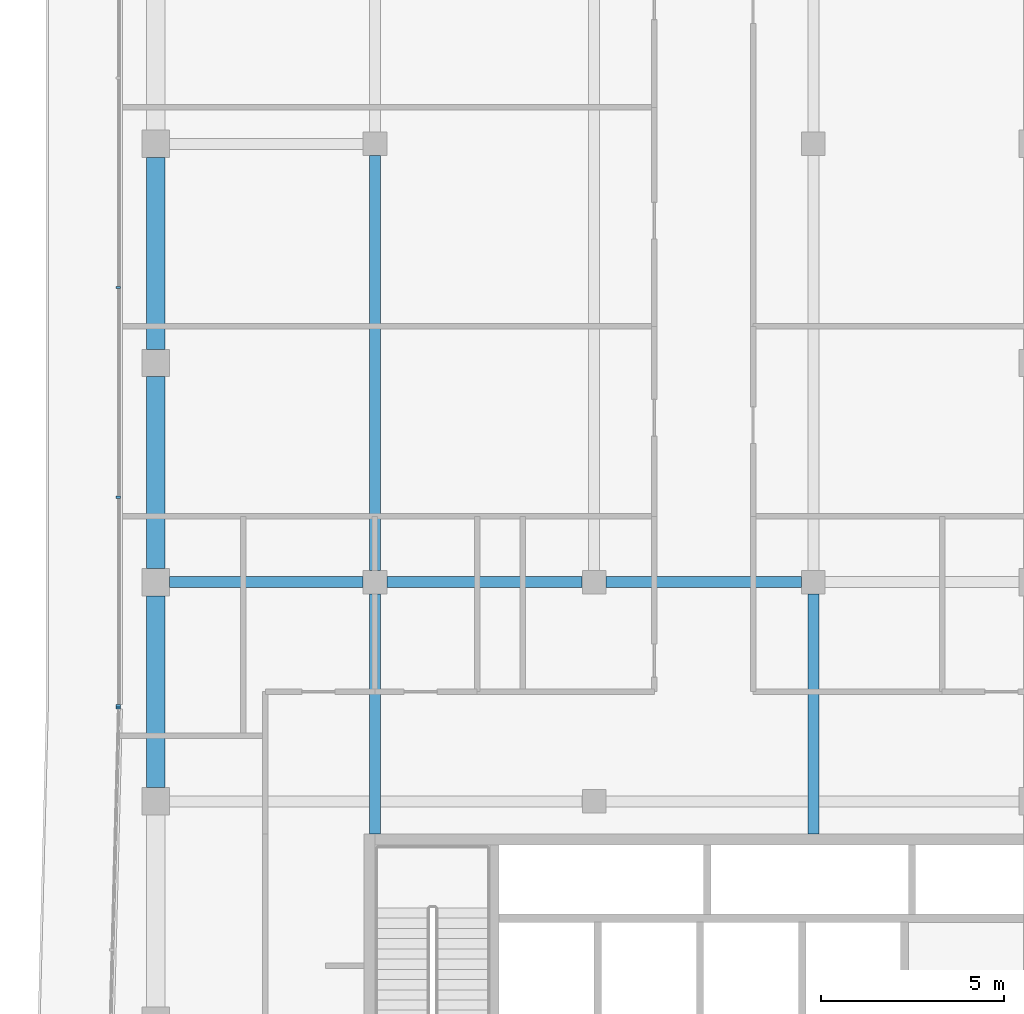
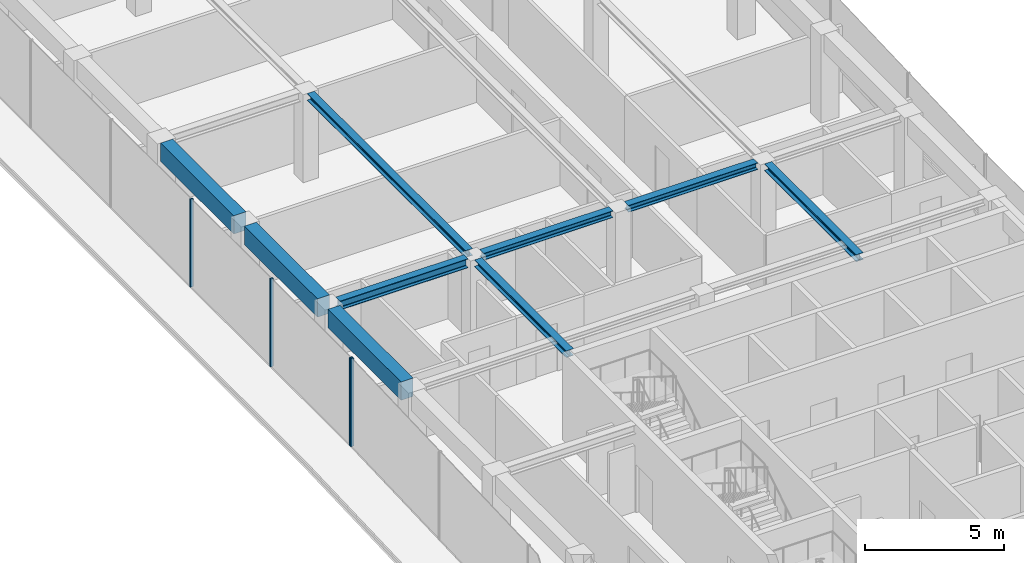
# One storey, part 6 of 18: 9 beams, 4 members, 2 elements without a shape of their own.
"""IFC4 building model written with IfcOpenShell, lengths in metres."""

import ifcopenshell
import ifcopenshell.guid

model = None  # the IFC model being written
_history = None  # IfcOwnerHistory: only IFC2X3 demands one
_inside = {}  # id of a spatial element -> (the spatial element, [elements in it])
_under = {}  # id of a project, library or spatial element -> (it, [spatial elements below it])
_declared = {}  # id of a project -> (the project, [libraries it declares])
_typed = {}  # id of a type object -> (the type object, [elements of that type])
_made_of = {}  # id of a material, layer set ... -> (it, [elements and type objects made of it])


def new_model(schema):
    """Start an empty IFC model of exactly this schema.

    Asked for "IFC4X3", IfcOpenShell would pick the latest addendum, in which some entities
    have other attributes; the version numbers below select the first issue.
    IFC2X3 requires an IfcOwnerHistory on every rooted entity: one is made here for all.
    """
    global model, _history
    if schema == "IFC4X3":
        model = ifcopenshell.file(schema_version=(4, 3, 0, 0))
    else:
        model = ifcopenshell.file(schema=schema)
    _inside.clear()
    _under.clear()
    _declared.clear()
    _typed.clear()
    _made_of.clear()
    _history = None
    if model.schema == "IFC2X3":
        org = make("IfcOrganization", Name="unknown")
        user = make(
            "IfcPersonAndOrganization",
            ThePerson=make("IfcPerson", FamilyName="unknown"),
            TheOrganization=org,
        )
        app = make(
            "IfcApplication",
            ApplicationDeveloper=org,
            Version="unknown",
            ApplicationFullName="unknown",
            ApplicationIdentifier="unknown",
        )
        _history = make(
            "IfcOwnerHistory",
            OwningUser=user,
            OwningApplication=app,
            ChangeAction="ADDED",
            CreationDate=0,
        )
    return model


def make(cls, **values):
    """One entity of the class cls with the attributes given. An attribute that is None is left unset."""
    return model.create_entity(
        cls, **{name: value for name, value in values.items() if value is not None}
    )


def rooted(cls, **values):
    """An entity with a GlobalId (a new one), such as an element, a storey or a relation."""
    return make(cls, GlobalId=ifcopenshell.guid.new(), OwnerHistory=_history, **values)


def si_unit(unit_type, name, prefix=None):
    """IfcSIUnit, for example si_unit("LENGTHUNIT", "METRE", prefix="MILLI")."""
    return make("IfcSIUnit", UnitType=unit_type, Prefix=prefix, Name=name)


def assignment(units):
    """IfcUnitAssignment: the units of a project."""
    return None if units is None else make("IfcUnitAssignment", Units=units)


def point(xyz):
    """IfcCartesianPoint."""
    return None if xyz is None else make("IfcCartesianPoint", Coordinates=xyz)


def direction(xyz):
    """IfcDirection."""
    return None if xyz is None else make("IfcDirection", DirectionRatios=xyz)


def frame(location, z_axis=None, x_axis=None):
    """IfcAxis2Placement3D, a coordinate frame: its origin and axes. An axis left out is left unset."""
    return make(
        "IfcAxis2Placement3D",
        Location=point(location),
        Axis=direction(z_axis),
        RefDirection=direction(x_axis),
    )


def frame_2d(location, x_axis=None):
    """IfcAxis2Placement2D, a coordinate frame in the plane: its origin and x axis."""
    return make(
        "IfcAxis2Placement2D", Location=point(location), RefDirection=direction(x_axis)
    )


def origin():
    """The frame at (0, 0, 0) with its axes left unset."""
    return frame((0.0, 0.0, 0.0))


def origin_2d():
    """The frame at (0, 0) in the plane with its x axis left unset."""
    return frame_2d((0.0, 0.0))


def place(relative_to, where):
    """IfcLocalPlacement: puts the frame where relative to a parent placement (None: the world)."""
    return make(
        "IfcLocalPlacement", PlacementRelTo=relative_to, RelativePlacement=where
    )


def context(
    kind, dimensions, precision=None, world=None, true_north=None, identifier=None
):
    """IfcGeometricRepresentationContext, for example the 3D "Model" context."""
    return make(
        "IfcGeometricRepresentationContext",
        ContextIdentifier=identifier,
        ContextType=kind,
        CoordinateSpaceDimension=dimensions,
        Precision=precision,
        WorldCoordinateSystem=world,
        TrueNorth=true_north,
    )


def subcontext(parent, identifier, kind, view, scale=None):
    """IfcGeometricRepresentationSubContext, for example "Body" below "Model"."""
    return make(
        "IfcGeometricRepresentationSubContext",
        ContextIdentifier=identifier,
        ContextType=kind,
        ParentContext=parent,
        TargetScale=scale,
        TargetView=view,
    )


def project(units=None, contexts=None):
    """IfcProject with its units and contexts."""
    return rooted(
        "IfcProject",
        Name="project",
        RepresentationContexts=contexts,
        UnitsInContext=assignment(units),
    )


def spatial(cls, under=None, at=None, **own):
    """A site, building, storey or space (cls), placed at a placement, below another one or the project."""
    s = rooted(cls, ObjectPlacement=at, **own)
    if under is not None:
        _under.setdefault(under.id(), (under, []))[1].append(s)
    return s


def profile(cls, at=None, kind="AREA", **sizes):
    """A parametric profile (cls). Its sizes go by their IFC names, for example OverallWidth=200.0."""
    return make(cls, ProfileType=kind, Position=at, **sizes)


def rectangle(**sizes):
    """IfcRectangleProfileDef."""
    return profile("IfcRectangleProfileDef", **sizes)


def i_section(**sizes):
    """IfcIShapeProfileDef."""
    return profile("IfcIShapeProfileDef", **sizes)


def extrude(swept, where, along, depth):
    """IfcExtrudedAreaSolid: the profile swept, set in the frame where, extruded along a direction by depth."""
    return make(
        "IfcExtrudedAreaSolid",
        SweptArea=swept,
        Position=where,
        ExtrudedDirection=direction(along),
        Depth=depth,
    )


def shape(context_of_items, identifier, shape_type, items):
    """IfcShapeRepresentation: the items that make up one representation, for example the "Body"."""
    return make(
        "IfcShapeRepresentation",
        ContextOfItems=context_of_items,
        RepresentationIdentifier=identifier,
        RepresentationType=shape_type,
        Items=items,
    )


def material(Name=None, Category=None):
    """IfcMaterial."""
    return make("IfcMaterial", Name=Name, Category=Category)


def layer(
    of_material, thickness, ventilated=None, Name=None, Category=None, Priority=None
):
    """IfcMaterialLayer: one layer of a wall or slab, of a material (None: an air gap)."""
    return make(
        "IfcMaterialLayer",
        Material=of_material,
        LayerThickness=thickness,
        IsVentilated=ventilated,
        Name=Name,
        Category=Category,
        Priority=Priority,
    )


def layer_set(layers, Name=None):
    """IfcMaterialLayerSet."""
    return make("IfcMaterialLayerSet", MaterialLayers=layers, LayerSetName=Name)


def material_profile(
    of_material, cross_section, Name=None, Category=None, Priority=None
):
    """IfcMaterialProfile: a cross section and its material."""
    return make(
        "IfcMaterialProfile",
        Name=Name,
        Material=of_material,
        Profile=cross_section,
        Priority=Priority,
        Category=Category,
    )


def profile_set(profiles, Name=None, composite=None):
    """IfcMaterialProfileSet."""
    return make(
        "IfcMaterialProfileSet",
        Name=Name,
        MaterialProfiles=profiles,
        CompositeProfile=composite,
    )


def made_of(thing, what):
    """Note that an element or type object is made of a material, layer set ...; save() writes the relation."""
    if what is not None:
        _made_of.setdefault(what.id(), (what, []))[1].append(thing)
    return thing


def type_object(cls, material=None, **own):
    """A type object (cls), such as IfcWallType, which elements share."""
    return made_of(rooted(cls, **own), material)


def element(
    cls,
    number,
    at=None,
    inside=None,
    cuts=None,
    type_object=None,
    material=None,
    context=None,
    identifier="Body",
    shape_type=None,
    held_by="IfcProductDefinitionShape",
    body=None,
    shapes=None,
    **own,
):
    """One element of the class cls, such as IfcWall. Its Tag is "e" and its number.

    at: its placement. inside: the storey or other place that contains it. cuts: it is an
    opening in that element (IfcRelVoidsElement). A single representation is given by context,
    identifier, shape_type and body (its items); several are given by shapes. held_by: the class
    of the entity that holds the representations. save() writes the other relations.
    """
    e = rooted(cls, Tag="e%d" % number, ObjectPlacement=at, **own)
    if body is not None:
        shapes = [shape(context, identifier, shape_type, body)]
    if shapes is not None:
        e.Representation = make(held_by, Representations=shapes)
    if inside is not None:
        _inside.setdefault(inside.id(), (inside, []))[1].append(e)
    if cuts is not None:
        rooted(
            "IfcRelVoidsElement", RelatingBuildingElement=cuts, RelatedOpeningElement=e
        )
    if type_object is not None:
        _typed.setdefault(type_object.id(), (type_object, []))[1].append(e)
    return made_of(e, material)


def aggregate(whole, parts):
    """IfcRelAggregates: a whole, such as a stair, and the parts it consists of."""
    return rooted("IfcRelAggregates", RelatingObject=whole, RelatedObjects=parts)


def save(model, path):
    """Write the relations noted so far, then the file.

    IfcRelAggregates (storeys below a building ...), IfcRelContainedInSpatialStructure (elements
    in a storey), IfcRelDefinesByType, IfcRelAssociatesMaterial and IfcRelDeclares: one each for
    every whole, place, type object, material and project.
    """
    for whole, parts in _under.values():
        aggregate(whole, parts)
    for where, things in _inside.values():
        rooted(
            "IfcRelContainedInSpatialStructure",
            RelatedElements=things,
            RelatingStructure=where,
        )
    for kind, things in _typed.values():
        rooted("IfcRelDefinesByType", RelatedObjects=things, RelatingType=kind)
    for what, things in _made_of.values():
        rooted("IfcRelAssociatesMaterial", RelatedObjects=things, RelatingMaterial=what)
    for by, libraries in _declared.values():
        rooted("IfcRelDeclares", RelatingContext=by, RelatedDefinitions=libraries)
    model.write(path)


model = new_model("IFC4")

# Units and contexts
model_context = context("Model", 3, precision=1e-05, world=origin(), true_north=direction((0.0, 1.0)))
body_context = subcontext(model_context, "Body", "Model", "MODEL_VIEW")
ifc_project = project(units=[si_unit("LENGTHUNIT", "METRE"), si_unit("AREAUNIT", "SQUARE_METRE"), si_unit("VOLUMEUNIT", "CUBIC_METRE"), si_unit("PLANEANGLEUNIT", "RADIAN"), si_unit("MASSUNIT", "GRAM", prefix="KILO")], contexts=[model_context])

# Site, building, storey
site_placement = place(None, origin())
site = spatial("IfcSite", under=ifc_project, at=site_placement, CompositionType="ELEMENT")
building_placement = place(site_placement, origin())
building = spatial("IfcBuilding", under=site, at=building_placement, Name="Welwitschia Terrace Campus", CompositionType="ELEMENT")
storey_placement = place(building_placement, frame((0.0, 0.0, 281.0)))
storey = spatial("IfcBuildingStorey", under=building, at=storey_placement, Name="L62", CompositionType="ELEMENT", Elevation=281.0)

# Beams
ifc_material_1 = material(Name="Steel S355", Category="steel")
ifc_material_profile_1 = material_profile(ifc_material_1, i_section(OverallWidth=0.300048828125, OverallDepth=0.300048828125, WebThickness=0.010986328125, FlangeThickness=0.01904296875, FilletRadius=0.027099609375, at=origin_2d()))
ifc_profile_set_1 = profile_set([ifc_material_profile_1], Name="Steel S355")
beam_type_1 = type_object("IfcBeamType", Name="Interior girder HE 300 B", PredefinedType="BEAM", material=ifc_profile_set_1)
for number, where, z_axis, x_axis, name in (
    (1, (6.325439453125, 32.0, 3.699951171875), (1.0, 0.0, 0.0), (0.0, 1.0, 0.0), "Girder GB6"),
    (2, (12.325439453125, 32.0, 3.699951171875), (1.0, 0.0, 0.0), (0.0, 1.0, 0.0), "Girder GB6"),
):
    element("IfcBeam", number, at=place(storey_placement, frame(where, z_axis=z_axis, x_axis=x_axis)), inside=storey, type_object=beam_type_1, Name=name, PredefinedType="BEAM", context=body_context, shape_type="SweptSolid", body=[
        extrude(i_section(OverallWidth=0.300048828125, OverallDepth=0.300048828125, WebThickness=0.010986328125, FlangeThickness=0.01904296875, FilletRadius=0.027099609375, at=origin_2d()), origin(), (0.0, 0.0, 1.0), 5.34912109375),
    ])
beam_1_placement = place(storey_placement, frame((6.0, 25.10107421875, 3.699951171875), z_axis=(0.0, 1.0, 0.0), x_axis=(-1.0, 0.0, 0.0)))
element("IfcBeam", 3, at=beam_1_placement, inside=storey, type_object=beam_type_1, Name="Girder GB6", PredefinedType="BEAM", context=body_context, shape_type="SweptSolid", body=[
    extrude(i_section(OverallWidth=0.300048828125, OverallDepth=0.300048828125, WebThickness=0.010986328125, FlangeThickness=0.01904296875, FilletRadius=0.027099609375, at=origin_2d()), origin(), (0.0, 0.0, 1.0), 6.573486328125),
])
beam_2_placement = place(storey_placement, frame((6.0, 32.325439453125, 3.699951171875), z_axis=(0.0, 1.0, 0.0), x_axis=(-1.0, 0.0, 0.0)))
element("IfcBeam", 4, at=beam_2_placement, inside=storey, type_object=beam_type_1, Name="Girder GB6", PredefinedType="BEAM", context=body_context, shape_type="SweptSolid", body=[
    extrude(i_section(OverallWidth=0.300048828125, OverallDepth=0.300048828125, WebThickness=0.010986328125, FlangeThickness=0.01904296875, FilletRadius=0.027099609375, at=origin_2d()), origin(), (0.0, 0.0, 1.0), 11.34912109375),
])
beam_3_placement = place(storey_placement, frame((18.0, 25.10107421875, 3.699951171875), z_axis=(0.0, 1.0, 0.0), x_axis=(-1.0, 0.0, 0.0)))
element("IfcBeam", 5, at=beam_3_placement, inside=storey, type_object=beam_type_1, Name="Girder GB6", PredefinedType="BEAM", context=body_context, shape_type="SweptSolid", body=[
    extrude(i_section(OverallWidth=0.300048828125, OverallDepth=0.300048828125, WebThickness=0.010986328125, FlangeThickness=0.01904296875, FilletRadius=0.027099609375, at=origin_2d()), origin(), (0.0, 0.0, 1.0), 6.573486328125),
])

# Curtain wall, members
ifc_material_2 = material(Name="Bronze anodised aluminium", Category="aluminium")
ifc_layer = layer(ifc_material_2, 0.1201171875)
ifc_layer_set = layer_set([ifc_layer], Name="Bronze anodised aluminium")
curtain_wall_type = type_object("IfcCurtainWallType", Name="Curtain wall CW2 tower 6000", PredefinedType="NOTDEFINED", material=ifc_layer_set)
curtain_wall_1_placement = place(storey_placement, origin())
curtain_wall_1 = element("IfcCurtainWall", 6, at=curtain_wall_1_placement, inside=storey, type_object=curtain_wall_type, Name="CW L62.0.0", PredefinedType="NOTDEFINED")
ifc_material_3 = material(Name="Bronze anodised aluminium", Category="aluminium")
ifc_material_profile_2 = material_profile(ifc_material_3, rectangle(XDim=0.1201171875, YDim=0.06005859375, at=origin_2d()))
ifc_profile_set_2 = profile_set([ifc_material_profile_2], Name="Bronze anodised aluminium")
member_type = type_object("IfcMemberType", Name="Mullion 60x120", PredefinedType="MULLION", material=ifc_profile_set_2)
member_1_placement = place(storey_placement, frame((-1.030029296875, 40.06298828125, 0.0), z_axis=(0.0, 0.0, 1.0), x_axis=(1.0, 0.0, 0.0)))
member_1 = element("IfcMember", 7, at=member_1_placement, type_object=member_type, Name="Mullion L62.0.0.4", PredefinedType="MULLION", context=body_context, shape_type="SweptSolid", body=[
    extrude(rectangle(XDim=0.1201171875, YDim=0.06005859375, at=origin_2d()), origin(), (0.0, 0.0, 1.0), 3.85009765625),
])
member_2_placement = place(storey_placement, frame((-1.030029296875, 34.32373046875, 0.0), z_axis=(0.0, 0.0, 1.0), x_axis=(1.0, 0.0, 0.0)))
member_2 = element("IfcMember", 8, at=member_2_placement, type_object=member_type, Name="Mullion L62.0.0.5", PredefinedType="MULLION", context=body_context, shape_type="SweptSolid", body=[
    extrude(rectangle(XDim=0.1201171875, YDim=0.06005859375, at=origin_2d()), origin(), (0.0, 0.0, 1.0), 3.85009765625),
])
member_3_placement = place(storey_placement, frame((-1.030029296875, 28.614501953125, 0.0), z_axis=(0.0, 0.0, 1.0), x_axis=(1.0, 0.0, 0.0)))
member_3 = element("IfcMember", 9, at=member_3_placement, type_object=member_type, Name="Mullion L62.0.0.6", PredefinedType="MULLION", context=body_context, shape_type="SweptSolid", body=[
    extrude(rectangle(XDim=0.1201171875, YDim=0.06005859375, at=origin_2d()), origin(), (0.0, 0.0, 1.0), 3.85009765625),
])
aggregate(curtain_wall_1, [member_1, member_2, member_3])

# Curtain wall, member
curtain_wall_2_placement = place(storey_placement, origin())
curtain_wall_2 = element("IfcCurtainWall", 10, at=curtain_wall_2_placement, inside=storey, type_object=curtain_wall_type, Name="CW L62.1.0", PredefinedType="NOTDEFINED")
member_4_placement = place(storey_placement, frame((-1.03076171875, 28.554443359375, 0.0), z_axis=(0.0, 0.0, 1.0), x_axis=(0.999657324976, -0.026176948308, 0.0)))
member_4 = element("IfcMember", 11, at=member_4_placement, type_object=member_type, Name="Mullion L62.1.0.0", PredefinedType="MULLION", context=body_context, shape_type="SweptSolid", body=[
    extrude(rectangle(XDim=0.1201171875, YDim=0.06005859375, at=origin_2d()), origin(), (0.0, 0.0, 1.0), 3.85009765625),
])
aggregate(curtain_wall_2, [member_4])

# Beams
ifc_material_4 = material(Name="Steel S355", Category="steel")
ifc_material_profile_3 = material_profile(ifc_material_4, i_section(OverallWidth=0.300048828125, OverallDepth=0.39990234375, WebThickness=0.013427734375, FlangeThickness=0.02392578125, FilletRadius=0.027099609375, at=origin_2d()))
ifc_profile_set_3 = profile_set([ifc_material_profile_3], Name="Steel S355")
beam_type_2 = type_object("IfcBeamType", Name="Primary beam HE 400 B", PredefinedType="BEAM", material=ifc_profile_set_3)
beam_4_placement = place(storey_placement, frame((0.37548828125, 32.0, 3.64990234375), z_axis=(1.0, 0.0, 0.0), x_axis=(0.0, 1.0, 0.0)))
element("IfcBeam", 12, at=beam_4_placement, inside=storey, type_object=beam_type_2, Name="Primary beam PB6", PredefinedType="BEAM", context=body_context, shape_type="SweptSolid", body=[
    extrude(i_section(OverallWidth=0.300048828125, OverallDepth=0.39990234375, WebThickness=0.013427734375, FlangeThickness=0.02392578125, FilletRadius=0.027099609375, at=origin_2d()), origin(), (0.0, 0.0, 1.0), 5.299072265625),
])
ifc_material_5 = material(Name="Concrete C50/60", Category="concrete")
ifc_material_profile_4 = material_profile(ifc_material_5, rectangle(XDim=0.5, YDim=0.800048828125, at=origin_2d()))
ifc_profile_set_4 = profile_set([ifc_material_profile_4], Name="Concrete C50/60")
beam_type_3 = type_object("IfcBeamType", Name="Ring spandrel 500x800", PredefinedType="SPANDREL", material=ifc_profile_set_4)
for number, where, z_axis, x_axis, name in (
    (13, (0.0, 43.62451171875, 3.449951171875), (0.0, -1.0, 0.0), (1.0, 0.0, 0.0), "Spandrel SP4"),
    (14, (0.0, 37.62451171875, 3.449951171875), (0.0, -1.0, 0.0), (1.0, 0.0, 0.0), "Spandrel SP4"),
    (15, (0.0, 31.62451171875, 3.449951171875), (0.0, -1.0, 0.0), (1.0, 0.0, 0.0), "Spandrel SP4"),
):
    element("IfcBeam", number, at=place(storey_placement, frame(where, z_axis=z_axis, x_axis=x_axis)), inside=storey, type_object=beam_type_3, Name=name, PredefinedType="SPANDREL", context=body_context, shape_type="SweptSolid", body=[
        extrude(rectangle(XDim=0.5, YDim=0.800048828125, at=origin_2d()), origin(), (0.0, 0.0, 1.0), 5.2490234375),
    ])

save(model, "model.ifc")
